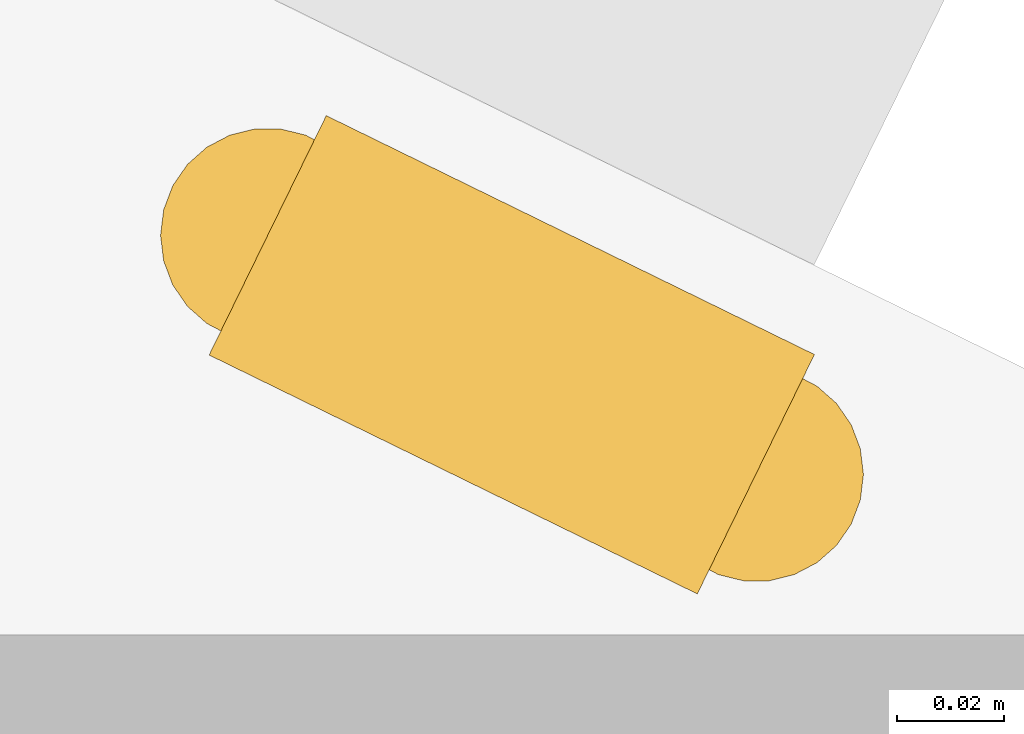
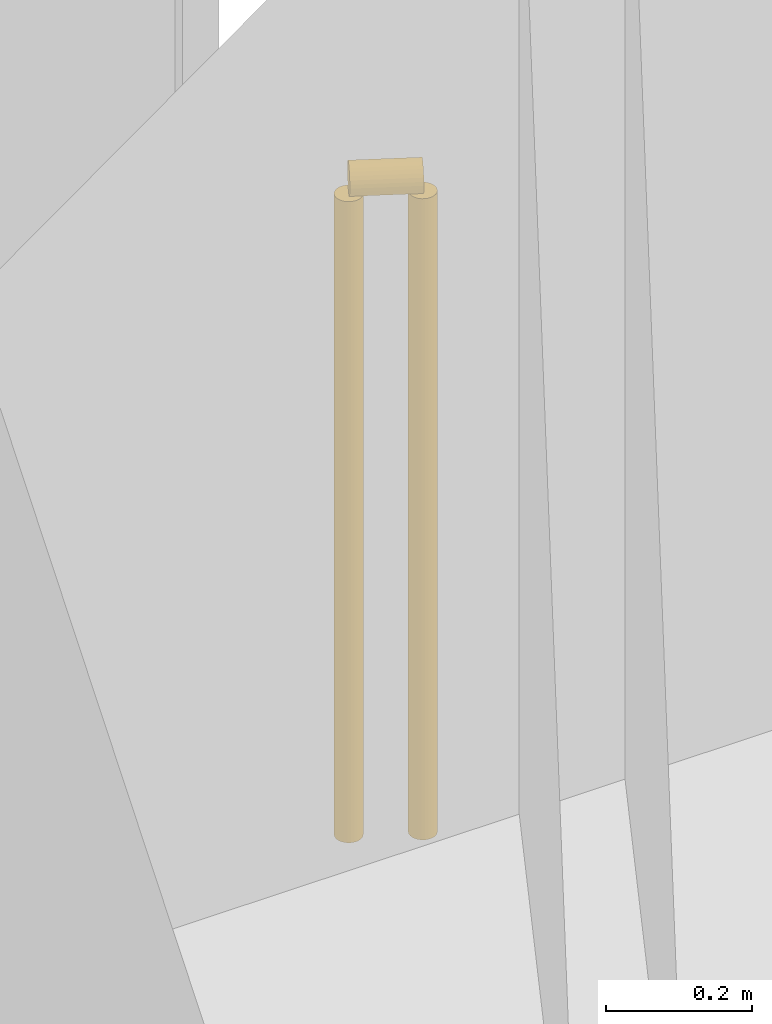
# One storey, part 37 of 38: 1 railing.
"""IFC4 building model written with IfcOpenShell, lengths in metres."""

from ifc_helpers import new_model, si_unit, direction, frame, origin, origin_2d, place, context, subcontext, project, spatial, circle, extrude, material, type_object, element, save


model = new_model("IFC4")

# Units and contexts
model_context = context("Model", 3, precision=1e-05, world=origin(), true_north=direction((0.0, 1.0)))
body_context = subcontext(model_context, "Body", "Model", "MODEL_VIEW")
ifc_project = project(units=[si_unit("LENGTHUNIT", "METRE"), si_unit("AREAUNIT", "SQUARE_METRE"), si_unit("VOLUMEUNIT", "CUBIC_METRE"), si_unit("PLANEANGLEUNIT", "RADIAN"), si_unit("MASSUNIT", "GRAM", prefix="KILO")], contexts=[model_context])

# Site, building, storey
site_placement = place(None, origin())
site = spatial("IfcSite", under=ifc_project, at=site_placement, CompositionType="ELEMENT")
building_placement = place(site_placement, origin())
building = spatial("IfcBuilding", under=site, at=building_placement, Name="Orlundy Tower", CompositionType="ELEMENT")
storey_placement = place(building_placement, frame((0.0, 0.0, 69.300048828125)))
storey = spatial("IfcBuildingStorey", under=building, at=storey_placement, Name="L16", CompositionType="ELEMENT", Elevation=69.300048828125)

# Railing
ifc_material = material(Name="Stainless steel bronze finish", Category="steel")
railing_type = type_object("IfcRailingType", Name="TG1 terrace guard", PredefinedType="GUARDRAIL", material=ifc_material)
railing_placement = place(storey_placement, frame((46.218994140625, -0.47021484375, 0.0)))
element("IfcRailing", 1, at=railing_placement, inside=storey, type_object=railing_type, Name="Guard TG-L16-E02", PredefinedType="GUARDRAIL", context=body_context, shape_type="SweptSolid", body=[
    extrude(circle(Radius=0.02490234375, at=origin_2d()), frame((0.0, 0.0, 1.09521484375), z_axis=(0.898236896108, -0.439511636331, 0.0), x_axis=(0.439511636331, 0.898236896108, 0.0)), (0.0, 0.0, 1.0), 0.1015625),
    extrude(circle(Radius=0.02001953125, at=origin_2d()), origin(), (0.0, 0.0, 1.0), 1.070068359375),
    extrude(circle(Radius=0.02001953125, at=origin_2d()), frame((0.09130859375, -0.044677734375, 0.0)), (0.0, 0.0, 1.0), 1.070068359375),
])

save(model, "model.ifc")
